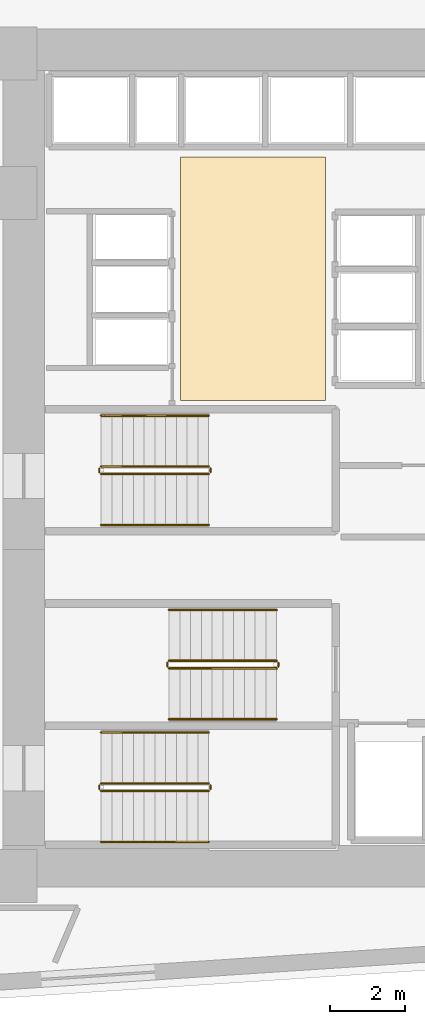
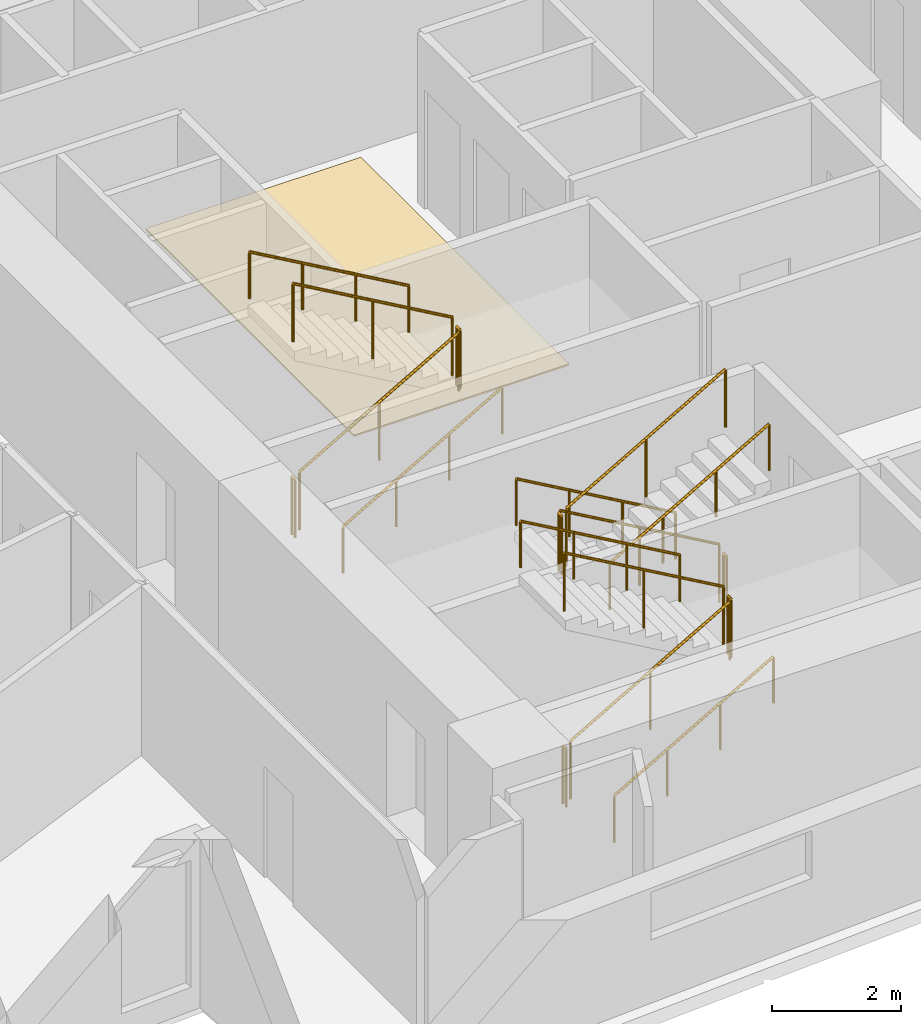
# One storey, part 14 of 15: 18 railings, 1 covering.
"""IFC4 building model written with IfcOpenShell, lengths in metres."""

from ifc_helpers import new_model, si_unit, direction, frame, origin, origin_2d, place, context, subcontext, project, spatial, polyline, circle, outline, extrude, material, layer, layer_set, type_object, element, save


model = new_model("IFC4")

# Units and contexts
model_context = context("Model", 3, precision=1e-05, world=origin(), true_north=direction((0.0, 1.0)))
body_context = subcontext(model_context, "Body", "Model", "MODEL_VIEW")
ifc_project = project(units=[si_unit("LENGTHUNIT", "METRE"), si_unit("AREAUNIT", "SQUARE_METRE"), si_unit("VOLUMEUNIT", "CUBIC_METRE"), si_unit("PLANEANGLEUNIT", "RADIAN"), si_unit("MASSUNIT", "GRAM", prefix="KILO")], contexts=[model_context])

# Site, building, storey
site_placement = place(None, origin())
site = spatial("IfcSite", under=ifc_project, at=site_placement, CompositionType="ELEMENT")
building_placement = place(site_placement, origin())
building = spatial("IfcBuilding", under=site, at=building_placement, Name="Narakoshi Arena Tower", CompositionType="ELEMENT")
storey_placement = place(building_placement, frame((0.0, 0.0, 92.10009765625)))
storey = spatial("IfcBuildingStorey", under=building, at=storey_placement, Name="L24", CompositionType="ELEMENT", Elevation=92.10009765625)

# Covering
ifc_material_1 = material(Name="Honed granite stone paving", Category="masonry")
ifc_layer = layer(ifc_material_1, 0.030029296875)
ifc_layer_set = layer_set([ifc_layer], Name="Honed granite stone paving")
covering_type = type_object("IfcCoveringType", Name="COV-FLR-ST30", PredefinedType="FLOORING", material=ifc_layer_set)
covering_placement = place(storey_placement, origin())
element("IfcCovering", 1, at=covering_placement, inside=storey, type_object=covering_type, Name="L24 Lift Lobby Granite Flooring", PredefinedType="FLOORING", context=body_context, shape_type="SweptSolid", body=[
    extrude(outline(polyline([(76.5, 47.300048828125), (80.35009765625, 47.300048828125), (80.35009765625, 53.75), (76.5, 53.75), (76.5, 47.300048828125)])), origin(), (0.0, 0.0, 1.0), 0.02978515625),
])

# Railings
ifc_material_2 = material(Name="Clear low-iron laminated structural glass", Category="glass")
railing_type_1 = type_object("IfcRailingType", Name="RL-BAL-1100", PredefinedType="BALUSTRADE", material=ifc_material_2)
railing_1_placement = place(storey_placement, frame((74.39990234375, 36.949951171875, 0.16357421875)))
element("IfcRailing", 2, at=railing_1_placement, inside=storey, type_object=railing_type_1, Name="L24 ST1 stair guard 1", PredefinedType="BALUSTRADE", context=body_context, shape_type="SweptSolid", body=[
    extrude(circle(Radius=0.02392578125, at=origin_2d()), frame((0.0, 0.0, 1.09619140625), z_axis=(0.867244780686, 0.0, 0.497882004468), x_axis=(0.0, 1.0, 0.0)), (0.0, 0.0, 1.0), 3.286376953125),
    extrude(circle(Radius=0.02099609375, at=origin_2d()), origin(), (0.0, 0.0, 1.0), 1.072021484375),
    extrude(circle(Radius=0.02099609375, at=origin_2d()), frame((1.425048828125, 0.0, 0.818115234375)), (0.0, 0.0, 1.0), 1.072021484375),
    extrude(circle(Radius=0.02099609375, at=origin_2d()), frame((2.85009765625, 0.0, 1.63623046875)), (0.0, 0.0, 1.0), 1.072021484375),
])
railing_2_placement = place(storey_placement, frame((77.300048828125, 37.0, 1.7998046875)))
element("IfcRailing", 3, at=railing_2_placement, inside=storey, type_object=railing_type_1, Name="L24 ST1 stair guard 2", PredefinedType="BALUSTRADE", context=body_context, shape_type="SweptSolid", body=[
    extrude(circle(Radius=0.02392578125, at=origin_2d()), frame((0.0, 0.0, 1.09619140625), z_axis=(0.0, 1.0, 0.0), x_axis=(-1.0, 0.0, 0.0)), (0.0, 0.0, 1.0), 0.10009765625),
    extrude(circle(Radius=0.02099609375, at=origin_2d()), origin(), (0.0, 0.0, 1.0), 1.072021484375),
    extrude(circle(Radius=0.02099609375, at=origin_2d()), frame((0.0, 0.10009765625, 0.0)), (0.0, 0.0, 1.0), 1.072021484375),
])
railing_3_placement = place(storey_placement, frame((77.25, 37.14990234375, 1.963623046875)))
element("IfcRailing", 4, at=railing_3_placement, inside=storey, type_object=railing_type_1, Name="L24 ST1 stair guard 3", PredefinedType="BALUSTRADE", context=body_context, shape_type="SweptSolid", body=[
    extrude(circle(Radius=0.02392578125, at=origin_2d()), frame((0.0, 0.0, 1.09619140625), z_axis=(-0.867244780686, 0.0, 0.497882004468), x_axis=(0.0, -1.0, 0.0)), (0.0, 0.0, 1.0), 3.286376953125),
    extrude(circle(Radius=0.02099609375, at=origin_2d()), origin(), (0.0, 0.0, 1.0), 1.072021484375),
    extrude(circle(Radius=0.02099609375, at=origin_2d()), frame((-1.425048828125, 0.0, 0.818115234375)), (0.0, 0.0, 1.0), 1.072021484375),
    extrude(circle(Radius=0.02099609375, at=origin_2d()), frame((-2.85009765625, 0.0, 1.63623046875)), (0.0, 0.0, 1.0), 1.072021484375),
])
railing_4_placement = place(storey_placement, frame((74.35009765625, 37.0, 0.0)))
element("IfcRailing", 5, at=railing_4_placement, inside=storey, type_object=railing_type_1, Name="L24 ST1 stair guard 4", PredefinedType="BALUSTRADE", context=body_context, shape_type="SweptSolid", body=[
    extrude(circle(Radius=0.02392578125, at=origin_2d()), frame((0.0, 0.0, 1.09619140625), z_axis=(0.0, 1.0, 0.0), x_axis=(-1.0, 0.0, 0.0)), (0.0, 0.0, 1.0), 0.10009765625),
    extrude(circle(Radius=0.02099609375, at=origin_2d()), origin(), (0.0, 0.0, 1.0), 1.072021484375),
    extrude(circle(Radius=0.02099609375, at=origin_2d()), frame((0.0, 0.10009765625, 0.0)), (0.0, 0.0, 1.0), 1.072021484375),
])
railing_5_placement = place(storey_placement, frame((79.050048828125, 40.39990234375, 0.16357421875)))
element("IfcRailing", 6, at=railing_5_placement, inside=storey, type_object=railing_type_1, Name="L24 ST2 stair guard 1", PredefinedType="BALUSTRADE", context=body_context, shape_type="SweptSolid", body=[
    extrude(circle(Radius=0.02392578125, at=origin_2d()), frame((0.0, 0.0, 1.09619140625), z_axis=(-0.867244780686, 0.0, 0.497882004468), x_axis=(0.0, -1.0, 0.0)), (0.0, 0.0, 1.0), 3.286376953125),
    extrude(circle(Radius=0.02099609375, at=origin_2d()), origin(), (0.0, 0.0, 1.0), 1.072021484375),
    extrude(circle(Radius=0.02099609375, at=origin_2d()), frame((-1.425048828125, 0.0, 0.818115234375)), (0.0, 0.0, 1.0), 1.072021484375),
    extrude(circle(Radius=0.02099609375, at=origin_2d()), frame((-2.85009765625, 0.0, 1.63623046875)), (0.0, 0.0, 1.0), 1.072021484375),
])
railing_6_placement = place(storey_placement, frame((76.14990234375, 40.35009765625, 1.7998046875)))
element("IfcRailing", 7, at=railing_6_placement, inside=storey, type_object=railing_type_1, Name="L24 ST2 stair guard 2", PredefinedType="BALUSTRADE", context=body_context, shape_type="SweptSolid", body=[
    extrude(circle(Radius=0.02392578125, at=origin_2d()), frame((0.0, 0.0, 1.09619140625), z_axis=(0.0, -1.0, 0.0), x_axis=(1.0, 0.0, 0.0)), (0.0, 0.0, 1.0), 0.10009765625),
    extrude(circle(Radius=0.02099609375, at=origin_2d()), origin(), (0.0, 0.0, 1.0), 1.072021484375),
    extrude(circle(Radius=0.02099609375, at=origin_2d()), frame((0.0, -0.10009765625, 0.0)), (0.0, 0.0, 1.0), 1.072021484375),
])
railing_7_placement = place(storey_placement, frame((76.199951171875, 40.199951171875, 1.963623046875)))
element("IfcRailing", 8, at=railing_7_placement, inside=storey, type_object=railing_type_1, Name="L24 ST2 stair guard 3", PredefinedType="BALUSTRADE", context=body_context, shape_type="SweptSolid", body=[
    extrude(circle(Radius=0.02392578125, at=origin_2d()), frame((0.0, 0.0, 1.09619140625), z_axis=(0.867244780686, 0.0, 0.497882004468), x_axis=(0.0, 1.0, 0.0)), (0.0, 0.0, 1.0), 3.286376953125),
    extrude(circle(Radius=0.02099609375, at=origin_2d()), origin(), (0.0, 0.0, 1.0), 1.072021484375),
    extrude(circle(Radius=0.02099609375, at=origin_2d()), frame((1.425048828125, 0.0, 0.818115234375)), (0.0, 0.0, 1.0), 1.072021484375),
    extrude(circle(Radius=0.02099609375, at=origin_2d()), frame((2.85009765625, 0.0, 1.63623046875)), (0.0, 0.0, 1.0), 1.072021484375),
])
railing_8_placement = place(storey_placement, frame((79.10009765625, 40.35009765625, 0.0)))
element("IfcRailing", 9, at=railing_8_placement, inside=storey, type_object=railing_type_1, Name="L24 ST2 stair guard 4", PredefinedType="BALUSTRADE", context=body_context, shape_type="SweptSolid", body=[
    extrude(circle(Radius=0.02392578125, at=origin_2d()), frame((0.0, 0.0, 1.09619140625), z_axis=(0.0, -1.0, 0.0), x_axis=(1.0, 0.0, 0.0)), (0.0, 0.0, 1.0), 0.10009765625),
    extrude(circle(Radius=0.02099609375, at=origin_2d()), origin(), (0.0, 0.0, 1.0), 1.072021484375),
    extrude(circle(Radius=0.02099609375, at=origin_2d()), frame((0.0, -0.10009765625, 0.0)), (0.0, 0.0, 1.0), 1.072021484375),
])
railing_9_placement = place(storey_placement, frame((74.39990234375, 45.35009765625, 0.16357421875)))
element("IfcRailing", 10, at=railing_9_placement, inside=storey, type_object=railing_type_1, Name="L24 ST3 stair guard 1", PredefinedType="BALUSTRADE", context=body_context, shape_type="SweptSolid", body=[
    extrude(circle(Radius=0.02392578125, at=origin_2d()), frame((0.0, 0.0, 1.09619140625), z_axis=(0.867244780686, 0.0, 0.497882004468), x_axis=(0.0, 1.0, 0.0)), (0.0, 0.0, 1.0), 3.286376953125),
    extrude(circle(Radius=0.02099609375, at=origin_2d()), origin(), (0.0, 0.0, 1.0), 1.072021484375),
    extrude(circle(Radius=0.02099609375, at=origin_2d()), frame((1.425048828125, 0.0, 0.818115234375)), (0.0, 0.0, 1.0), 1.072021484375),
    extrude(circle(Radius=0.02099609375, at=origin_2d()), frame((2.85009765625, 0.0, 1.63623046875)), (0.0, 0.0, 1.0), 1.072021484375),
])
railing_10_placement = place(storey_placement, frame((77.300048828125, 45.39990234375, 1.7998046875)))
element("IfcRailing", 11, at=railing_10_placement, inside=storey, type_object=railing_type_1, Name="L24 ST3 stair guard 2", PredefinedType="BALUSTRADE", context=body_context, shape_type="SweptSolid", body=[
    extrude(circle(Radius=0.02392578125, at=origin_2d()), frame((0.0, 0.0, 1.09619140625), z_axis=(0.0, 1.0, 0.0), x_axis=(-1.0, 0.0, 0.0)), (0.0, 0.0, 1.0), 0.10009765625),
    extrude(circle(Radius=0.02099609375, at=origin_2d()), origin(), (0.0, 0.0, 1.0), 1.072021484375),
    extrude(circle(Radius=0.02099609375, at=origin_2d()), frame((0.0, 0.10009765625, 0.0)), (0.0, 0.0, 1.0), 1.072021484375),
])
railing_11_placement = place(storey_placement, frame((77.25, 45.550048828125, 1.963623046875)))
element("IfcRailing", 12, at=railing_11_placement, inside=storey, type_object=railing_type_1, Name="L24 ST3 stair guard 3", PredefinedType="BALUSTRADE", context=body_context, shape_type="SweptSolid", body=[
    extrude(circle(Radius=0.02392578125, at=origin_2d()), frame((0.0, 0.0, 1.09619140625), z_axis=(-0.867244780686, 0.0, 0.497882004468), x_axis=(0.0, -1.0, 0.0)), (0.0, 0.0, 1.0), 3.286376953125),
    extrude(circle(Radius=0.02099609375, at=origin_2d()), origin(), (0.0, 0.0, 1.0), 1.072021484375),
    extrude(circle(Radius=0.02099609375, at=origin_2d()), frame((-1.425048828125, 0.0, 0.818115234375)), (0.0, 0.0, 1.0), 1.072021484375),
    extrude(circle(Radius=0.02099609375, at=origin_2d()), frame((-2.85009765625, 0.0, 1.63623046875)), (0.0, 0.0, 1.0), 1.072021484375),
])
railing_12_placement = place(storey_placement, frame((74.35009765625, 45.39990234375, 0.0)))
element("IfcRailing", 13, at=railing_12_placement, inside=storey, type_object=railing_type_1, Name="L24 ST3 stair guard 4", PredefinedType="BALUSTRADE", context=body_context, shape_type="SweptSolid", body=[
    extrude(circle(Radius=0.02392578125, at=origin_2d()), frame((0.0, 0.0, 1.09619140625), z_axis=(0.0, 1.0, 0.0), x_axis=(-1.0, 0.0, 0.0)), (0.0, 0.0, 1.0), 0.10009765625),
    extrude(circle(Radius=0.02099609375, at=origin_2d()), origin(), (0.0, 0.0, 1.0), 1.072021484375),
    extrude(circle(Radius=0.02099609375, at=origin_2d()), frame((0.0, 0.10009765625, 0.0)), (0.0, 0.0, 1.0), 1.072021484375),
])
ifc_material_3 = material(Name="Brushed bronze stainless steel", Category="steel")
railing_type_2 = type_object("IfcRailingType", Name="RL-HND-900", PredefinedType="HANDRAIL", material=ifc_material_3)
railing_13_placement = place(storey_placement, frame((74.39990234375, 35.60009765625, 0.16357421875)))
element("IfcRailing", 14, at=railing_13_placement, inside=storey, type_object=railing_type_2, Name="L24 ST1 stair handrail 1", PredefinedType="HANDRAIL", context=body_context, shape_type="SweptSolid", body=[
    extrude(circle(Radius=0.02392578125, at=origin_2d()), frame((0.0, 0.0, 0.8759765625), z_axis=(0.867244780686, 0.0, 0.497882004468), x_axis=(0.0, 1.0, 0.0)), (0.0, 0.0, 1.0), 3.286376953125),
    extrude(circle(Radius=0.02099609375, at=origin_2d()), origin(), (0.0, 0.0, 1.0), 0.851806640625),
    extrude(circle(Radius=0.02099609375, at=origin_2d()), frame((0.949951171875, 0.0, 0.54541015625)), (0.0, 0.0, 1.0), 0.851806640625),
    extrude(circle(Radius=0.02099609375, at=origin_2d()), frame((1.900146484375, 0.0, 1.0908203125)), (0.0, 0.0, 1.0), 0.851806640625),
    extrude(circle(Radius=0.02099609375, at=origin_2d()), frame((2.85009765625, 0.0, 1.63623046875)), (0.0, 0.0, 1.0), 0.851806640625),
])
for number, where, name in (
    (15, (77.25, 38.5, 1.963623046875), "L24 ST1 stair handrail 2"),
    (16, (79.050048828125, 41.75, 0.16357421875), "L24 ST2 stair handrail 1"),
):
    element("IfcRailing", number, at=place(storey_placement, frame(where)), inside=storey, type_object=railing_type_2, Name=name, PredefinedType="HANDRAIL", context=body_context, shape_type="SweptSolid", body=[
        extrude(circle(Radius=0.02392578125, at=origin_2d()), frame((0.0, 0.0, 0.8759765625), z_axis=(-0.867244780686, 0.0, 0.497882004468), x_axis=(0.0, -1.0, 0.0)), (0.0, 0.0, 1.0), 3.286376953125),
        extrude(circle(Radius=0.02099609375, at=origin_2d()), origin(), (0.0, 0.0, 1.0), 0.851806640625),
        extrude(circle(Radius=0.02099609375, at=origin_2d()), frame((-0.949951171875, 0.0, 0.54541015625)), (0.0, 0.0, 1.0), 0.851806640625),
        extrude(circle(Radius=0.02099609375, at=origin_2d()), frame((-1.900146484375, 0.0, 1.0908203125)), (0.0, 0.0, 1.0), 0.851806640625),
        extrude(circle(Radius=0.02099609375, at=origin_2d()), frame((-2.85009765625, 0.0, 1.63623046875)), (0.0, 0.0, 1.0), 0.851806640625),
    ])
for number, where, name in (
    (17, (76.199951171875, 38.85009765625, 1.963623046875), "L24 ST2 stair handrail 2"),
    (18, (74.39990234375, 44.0, 0.16357421875), "L24 ST3 stair handrail 1"),
):
    element("IfcRailing", number, at=place(storey_placement, frame(where)), inside=storey, type_object=railing_type_2, Name=name, PredefinedType="HANDRAIL", context=body_context, shape_type="SweptSolid", body=[
        extrude(circle(Radius=0.02392578125, at=origin_2d()), frame((0.0, 0.0, 0.8759765625), z_axis=(0.867244780686, 0.0, 0.497882004468), x_axis=(0.0, 1.0, 0.0)), (0.0, 0.0, 1.0), 3.286376953125),
        extrude(circle(Radius=0.02099609375, at=origin_2d()), origin(), (0.0, 0.0, 1.0), 0.851806640625),
        extrude(circle(Radius=0.02099609375, at=origin_2d()), frame((0.949951171875, 0.0, 0.54541015625)), (0.0, 0.0, 1.0), 0.851806640625),
        extrude(circle(Radius=0.02099609375, at=origin_2d()), frame((1.900146484375, 0.0, 1.0908203125)), (0.0, 0.0, 1.0), 0.851806640625),
        extrude(circle(Radius=0.02099609375, at=origin_2d()), frame((2.85009765625, 0.0, 1.63623046875)), (0.0, 0.0, 1.0), 0.851806640625),
    ])
railing_14_placement = place(storey_placement, frame((77.25, 46.89990234375, 1.963623046875)))
element("IfcRailing", 19, at=railing_14_placement, inside=storey, type_object=railing_type_2, Name="L24 ST3 stair handrail 2", PredefinedType="HANDRAIL", context=body_context, shape_type="SweptSolid", body=[
    extrude(circle(Radius=0.02392578125, at=origin_2d()), frame((0.0, 0.0, 0.8759765625), z_axis=(-0.867244780686, 0.0, 0.497882004468), x_axis=(0.0, -1.0, 0.0)), (0.0, 0.0, 1.0), 3.286376953125),
    extrude(circle(Radius=0.02099609375, at=origin_2d()), origin(), (0.0, 0.0, 1.0), 0.851806640625),
    extrude(circle(Radius=0.02099609375, at=origin_2d()), frame((-0.949951171875, 0.0, 0.54541015625)), (0.0, 0.0, 1.0), 0.851806640625),
    extrude(circle(Radius=0.02099609375, at=origin_2d()), frame((-1.900146484375, 0.0, 1.0908203125)), (0.0, 0.0, 1.0), 0.851806640625),
    extrude(circle(Radius=0.02099609375, at=origin_2d()), frame((-2.85009765625, 0.0, 1.63623046875)), (0.0, 0.0, 1.0), 0.851806640625),
])

save(model, "model.ifc")
